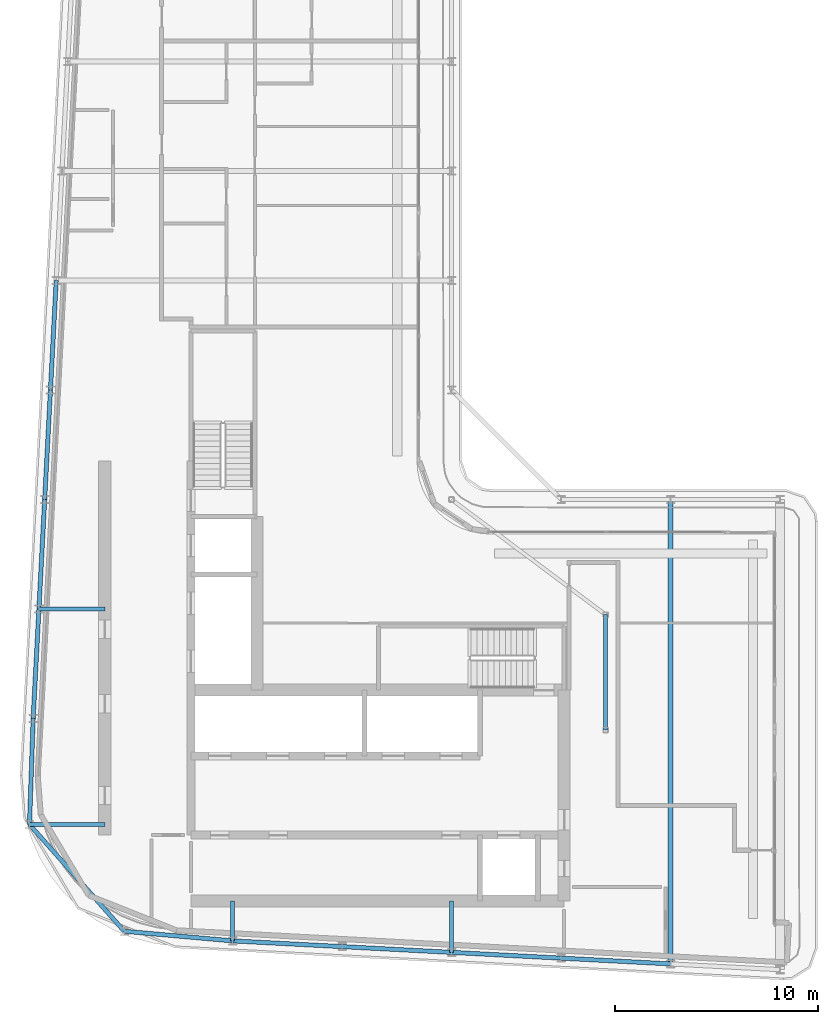
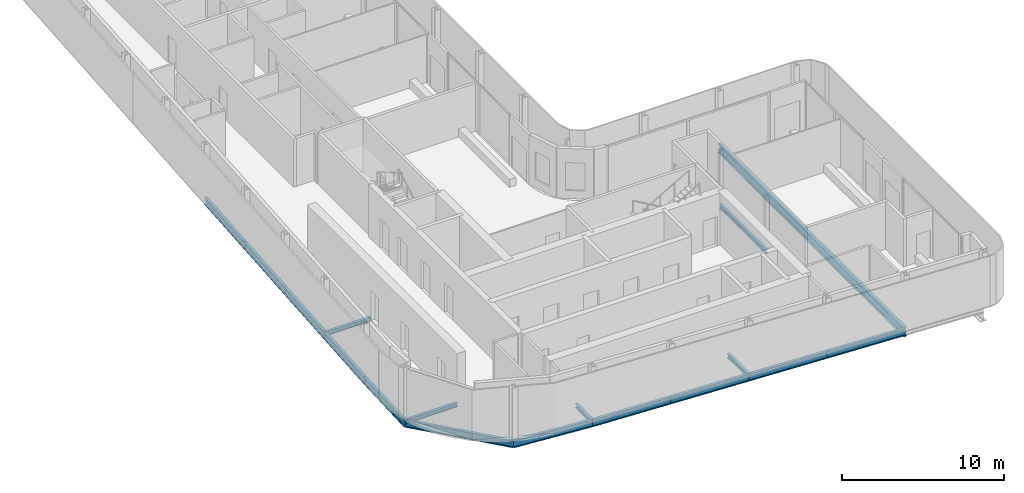
# One storey, part 5 of 21: 17 beams.
"""IFC4 building model written with IfcOpenShell, lengths in metres."""

from ifc_helpers import new_model, si_unit, direction, frame, origin, origin_2d, place, context, subcontext, project, spatial, i_section, extrude, material, material_profile, profile_set, type_object, element, save


model = new_model("IFC4")

# Units and contexts
model_context = context("Model", 3, precision=1e-05, world=origin(), true_north=direction((0.0, 1.0)))
body_context = subcontext(model_context, "Body", "Model", "MODEL_VIEW")
ifc_project = project(units=[si_unit("LENGTHUNIT", "METRE"), si_unit("AREAUNIT", "SQUARE_METRE"), si_unit("VOLUMEUNIT", "CUBIC_METRE"), si_unit("PLANEANGLEUNIT", "RADIAN"), si_unit("MASSUNIT", "GRAM", prefix="KILO")], contexts=[model_context])

# Site, building, storey
site_placement = place(None, origin())
site = spatial("IfcSite", under=ifc_project, at=site_placement, CompositionType="ELEMENT")
building_placement = place(site_placement, origin())
building = spatial("IfcBuilding", under=site, at=building_placement, Name="Kheshtan School and Residences Tower", CompositionType="ELEMENT")
storey_placement = place(building_placement, frame((0.0, 0.0, 282.5)))
storey = spatial("IfcBuildingStorey", under=building, at=storey_placement, Name="L66", CompositionType="ELEMENT", Elevation=282.5)

# Beams
ifc_material = material(Name="Steel ASTM A992 Grade 50", Category="steel")
ifc_material_profile_1 = material_profile(ifc_material, i_section(OverallWidth=0.202880859375, OverallDepth=0.302978515625, WebThickness=0.007568359375, FlangeThickness=0.01318359375, FilletRadius=0.009033203125, at=origin_2d()), Name="W310x60")
ifc_profile_set_1 = profile_set([ifc_material_profile_1], Name="Steel ASTM A992 Grade 50")
beam_type_1 = type_object("IfcBeamType", Name="Beam FB1 W310x60 ASTM A992 Grade 50", PredefinedType="BEAM", material=ifc_profile_set_1)
beam_1_placement = place(storey_placement, frame((47.60009765625, 23.263916015625, -0.301513671875), z_axis=(0.0, 1.0, 0.0), x_axis=(-1.0, 0.0, 0.0)))
element("IfcBeam", 1, at=beam_1_placement, inside=storey, type_object=beam_type_1, Name="Floor beam C020", PredefinedType="BEAM", context=body_context, shape_type="SweptSolid", body=[
    extrude(i_section(OverallWidth=0.202880859375, OverallDepth=0.302978515625, WebThickness=0.007568359375, FlangeThickness=0.01318359375, FilletRadius=0.009033203125, at=origin_2d()), origin(), (0.0, 0.0, 1.0), 2.5361328125),
])
beam_2_placement = place(storey_placement, frame((36.800048828125, 23.83203125, -0.301513671875), z_axis=(0.0, 1.0, 0.0), x_axis=(-1.0, 0.0, 0.0)))
element("IfcBeam", 2, at=beam_2_placement, inside=storey, type_object=beam_type_1, Name="Floor beam C022", PredefinedType="BEAM", context=body_context, shape_type="SweptSolid", body=[
    extrude(i_section(OverallWidth=0.202880859375, OverallDepth=0.302978515625, WebThickness=0.007568359375, FlangeThickness=0.01318359375, FilletRadius=0.009033203125, at=origin_2d()), origin(), (0.0, 0.0, 1.0), 1.968017578125),
])
beam_3_placement = place(storey_placement, frame((26.7880859375, 29.571044921875, -0.301513671875), z_axis=(1.0, 0.0, 0.0), x_axis=(0.0, 1.0, 0.0)))
element("IfcBeam", 3, at=beam_3_placement, inside=storey, type_object=beam_type_1, Name="Floor beam C123", PredefinedType="BEAM", context=body_context, shape_type="SweptSolid", body=[
    extrude(i_section(OverallWidth=0.202880859375, OverallDepth=0.302978515625, WebThickness=0.007568359375, FlangeThickness=0.01318359375, FilletRadius=0.009033203125, at=origin_2d()), origin(), (0.0, 0.0, 1.0), 3.7119140625),
])
beam_4_placement = place(storey_placement, frame((27.2529296875, 40.199951171875, -0.301513671875), z_axis=(1.0, 0.0, 0.0), x_axis=(0.0, 1.0, 0.0)))
element("IfcBeam", 4, at=beam_4_placement, inside=storey, type_object=beam_type_1, Name="Floor beam C056", PredefinedType="BEAM", context=body_context, shape_type="SweptSolid", body=[
    extrude(i_section(OverallWidth=0.202880859375, OverallDepth=0.302978515625, WebThickness=0.007568359375, FlangeThickness=0.01318359375, FilletRadius=0.009033203125, at=origin_2d()), origin(), (0.0, 0.0, 1.0), 3.2470703125),
])
beam_5_placement = place(storey_placement, frame((55.199951171875, 34.23193359375, -0.301513671875), z_axis=(0.0, 1.0, 0.0), x_axis=(-1.0, 0.0, 0.0)))
element("IfcBeam", 5, at=beam_5_placement, inside=storey, type_object=beam_type_1, Name="Floor beam IC", PredefinedType="BEAM", context=body_context, shape_type="SweptSolid", body=[
    extrude(i_section(OverallWidth=0.202880859375, OverallDepth=0.302978515625, WebThickness=0.007568359375, FlangeThickness=0.01318359375, FilletRadius=0.009033203125, at=origin_2d()), origin(), (0.0, 0.0, 1.0), 5.68408203125),
])
ifc_material_profile_2 = material_profile(ifc_material, i_section(OverallWidth=0.2529296875, OverallDepth=0.677978515625, WebThickness=0.01171875, FlangeThickness=0.016357421875, FilletRadius=0.0146484375, at=origin_2d()), Name="W690x125")
ifc_profile_set_2 = profile_set([ifc_material_profile_2], Name="Steel ASTM A992 Grade 50")
beam_type_2 = type_object("IfcBeamType", Name="Beam FB6 W690x125 ASTM A992 Grade 50", PredefinedType="BEAM", material=ifc_profile_set_2)
beam_6_placement = place(storey_placement, frame((58.39990234375, 22.695068359375, -0.489013671875), z_axis=(0.0, 1.0, 0.0), x_axis=(-1.0, 0.0, 0.0)))
element("IfcBeam", 6, at=beam_6_placement, inside=storey, type_object=beam_type_2, Name="Floor beam C018", PredefinedType="BEAM", context=body_context, shape_type="SweptSolid", body=[
    extrude(i_section(OverallWidth=0.2529296875, OverallDepth=0.677978515625, WebThickness=0.01171875, FlangeThickness=0.016357421875, FilletRadius=0.0146484375, at=origin_2d()), origin(), (0.0, 0.0, 1.0), 22.905029296875),
])
ifc_material_profile_3 = material_profile(ifc_material, i_section(OverallWidth=0.208984375, OverallDepth=0.532958984375, WebThickness=0.01025390625, FlangeThickness=0.015625, FilletRadius=0.013916015625, at=origin_2d()), Name="W530x92")
ifc_profile_set_3 = profile_set([ifc_material_profile_3], Name="Steel ASTM A992 Grade 50")
beam_type_3 = type_object("IfcBeamType", Name="Beam SP3 W530x92 ASTM A992 Grade 50", PredefinedType="BEAM", material=ifc_profile_set_3)
for number, where, z_axis, x_axis, name in (
    (7, (58.39990234375, 22.695068359375, -0.41650390625), (-0.998610961136, 0.052689166816, 0.0), (-0.052689166816, -0.998610961136, 0.0), "Spandrel beam C018-C019"),
    (8, (53.0, 22.97998046875, -0.41650390625), (-0.998620447272, 0.05250906864, 0.0), (-0.05250906864, -0.998620447272, 0.0), "Spandrel beam C019-C020"),
):
    element("IfcBeam", number, at=place(storey_placement, frame(where, z_axis=z_axis, x_axis=x_axis)), inside=storey, type_object=beam_type_3, Name=name, PredefinedType="BEAM", context=body_context, shape_type="SweptSolid", body=[
        extrude(i_section(OverallWidth=0.208984375, OverallDepth=0.532958984375, WebThickness=0.01025390625, FlangeThickness=0.015625, FilletRadius=0.013916015625, at=origin_2d()), origin(), (0.0, 0.0, 1.0), 5.407470703125),
    ])
beam_7_placement = place(storey_placement, frame((47.60009765625, 23.263916015625, -0.41650390625), z_axis=(-0.998618203458, 0.052551724256, 0.0), x_axis=(-0.052551724256, -0.998618203458, 0.0)))
element("IfcBeam", 9, at=beam_7_placement, inside=storey, type_object=beam_type_3, Name="Spandrel beam C020-C021", PredefinedType="BEAM", context=body_context, shape_type="SweptSolid", body=[
    extrude(i_section(OverallWidth=0.208984375, OverallDepth=0.532958984375, WebThickness=0.01025390625, FlangeThickness=0.015625, FilletRadius=0.013916015625, at=origin_2d()), origin(), (0.0, 0.0, 1.0), 5.40771484375),
])
beam_8_placement = place(storey_placement, frame((42.199951171875, 23.548095703125, -0.41650390625), z_axis=(-0.998620447272, 0.05250906864, 0.0), x_axis=(-0.05250906864, -0.998620447272, 0.0)))
element("IfcBeam", 10, at=beam_8_placement, inside=storey, type_object=beam_type_3, Name="Spandrel beam C021-C022", PredefinedType="BEAM", context=body_context, shape_type="SweptSolid", body=[
    extrude(i_section(OverallWidth=0.208984375, OverallDepth=0.532958984375, WebThickness=0.01025390625, FlangeThickness=0.015625, FilletRadius=0.013916015625, at=origin_2d()), origin(), (0.0, 0.0, 1.0), 5.407470703125),
])
beam_9_placement = place(storey_placement, frame((36.800048828125, 23.83203125, -0.41650390625), z_axis=(-0.996094319389, 0.08829556547, 0.0), x_axis=(-0.08829556547, -0.996094319389, 0.0)))
element("IfcBeam", 11, at=beam_9_placement, inside=storey, type_object=beam_type_3, Name="Spandrel beam C022-C122", PredefinedType="BEAM", context=body_context, shape_type="SweptSolid", body=[
    extrude(i_section(OverallWidth=0.208984375, OverallDepth=0.532958984375, WebThickness=0.01025390625, FlangeThickness=0.015625, FilletRadius=0.013916015625, at=origin_2d()), origin(), (0.0, 0.0, 1.0), 5.35595703125),
])
beam_10_placement = place(storey_placement, frame((31.465087890625, 24.304931640625, -0.41650390625), z_axis=(-0.664047505347, 0.747690384211, 0.0), x_axis=(-0.747690384211, -0.664047505347, 0.0)))
element("IfcBeam", 12, at=beam_10_placement, inside=storey, type_object=beam_type_3, Name="Spandrel beam C122-C123", PredefinedType="BEAM", context=body_context, shape_type="SweptSolid", body=[
    extrude(i_section(OverallWidth=0.208984375, OverallDepth=0.532958984375, WebThickness=0.01025390625, FlangeThickness=0.015625, FilletRadius=0.013916015625, at=origin_2d()), origin(), (0.0, 0.0, 1.0), 7.043212890625),
])
beam_11_placement = place(storey_placement, frame((26.7880859375, 29.571044921875, -0.41650390625), z_axis=(0.034576380853, 0.999402058176, 0.0), x_axis=(-0.999402058176, 0.034576380853, 0.0)))
element("IfcBeam", 13, at=beam_11_placement, inside=storey, type_object=beam_type_3, Name="Spandrel beam C123-C052", PredefinedType="BEAM", context=body_context, shape_type="SweptSolid", body=[
    extrude(i_section(OverallWidth=0.208984375, OverallDepth=0.532958984375, WebThickness=0.01025390625, FlangeThickness=0.015625, FilletRadius=0.013916015625, at=origin_2d()), origin(), (0.0, 0.0, 1.0), 5.232177734375),
])
beam_12_placement = place(storey_placement, frame((26.968994140625, 34.800048828125, -0.41650390625), z_axis=(0.05250906864, 0.998620447272, 0.0), x_axis=(-0.998620447272, 0.05250906864, 0.0)))
element("IfcBeam", 14, at=beam_12_placement, inside=storey, type_object=beam_type_3, Name="Spandrel beam C052-C056", PredefinedType="BEAM", context=body_context, shape_type="SweptSolid", body=[
    extrude(i_section(OverallWidth=0.208984375, OverallDepth=0.532958984375, WebThickness=0.01025390625, FlangeThickness=0.015625, FilletRadius=0.013916015625, at=origin_2d()), origin(), (0.0, 0.0, 1.0), 5.407470703125),
])
beam_13_placement = place(storey_placement, frame((27.2529296875, 40.199951171875, -0.41650390625), z_axis=(0.052551724256, 0.998618203458, 0.0), x_axis=(-0.998618203458, 0.052551724256, 0.0)))
element("IfcBeam", 15, at=beam_13_placement, inside=storey, type_object=beam_type_3, Name="Spandrel beam C056-C059", PredefinedType="BEAM", context=body_context, shape_type="SweptSolid", body=[
    extrude(i_section(OverallWidth=0.208984375, OverallDepth=0.532958984375, WebThickness=0.01025390625, FlangeThickness=0.015625, FilletRadius=0.013916015625, at=origin_2d()), origin(), (0.0, 0.0, 1.0), 5.40771484375),
])
for number, where, z_axis, x_axis, name in (
    (16, (27.537109375, 45.60009765625, -0.41650390625), (0.052689166816, 0.998610961136, 0.0), (-0.998610961136, 0.052689166816, 0.0), "Spandrel beam C059-C078"),
    (17, (27.822021484375, 51.0, -0.41650390625), (0.05250906864, 0.998620447272, 0.0), (-0.998620447272, 0.05250906864, 0.0), "Spandrel beam C078-C080"),
):
    element("IfcBeam", number, at=place(storey_placement, frame(where, z_axis=z_axis, x_axis=x_axis)), inside=storey, type_object=beam_type_3, Name=name, PredefinedType="BEAM", context=body_context, shape_type="SweptSolid", body=[
        extrude(i_section(OverallWidth=0.208984375, OverallDepth=0.532958984375, WebThickness=0.01025390625, FlangeThickness=0.015625, FilletRadius=0.013916015625, at=origin_2d()), origin(), (0.0, 0.0, 1.0), 5.407470703125),
    ])

save(model, "model.ifc")
